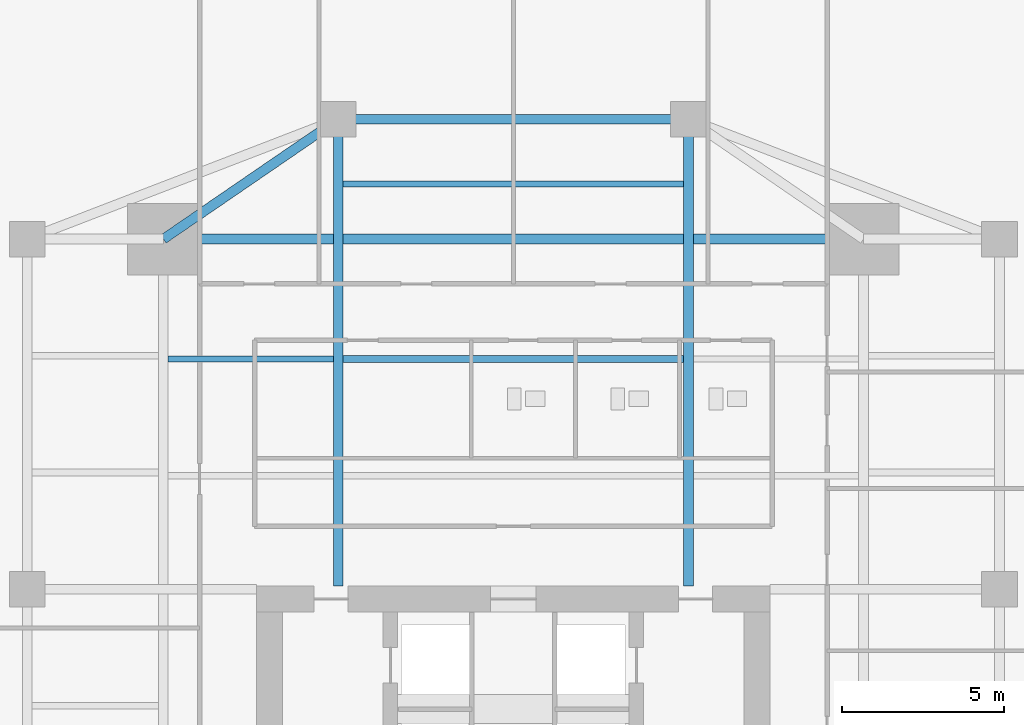
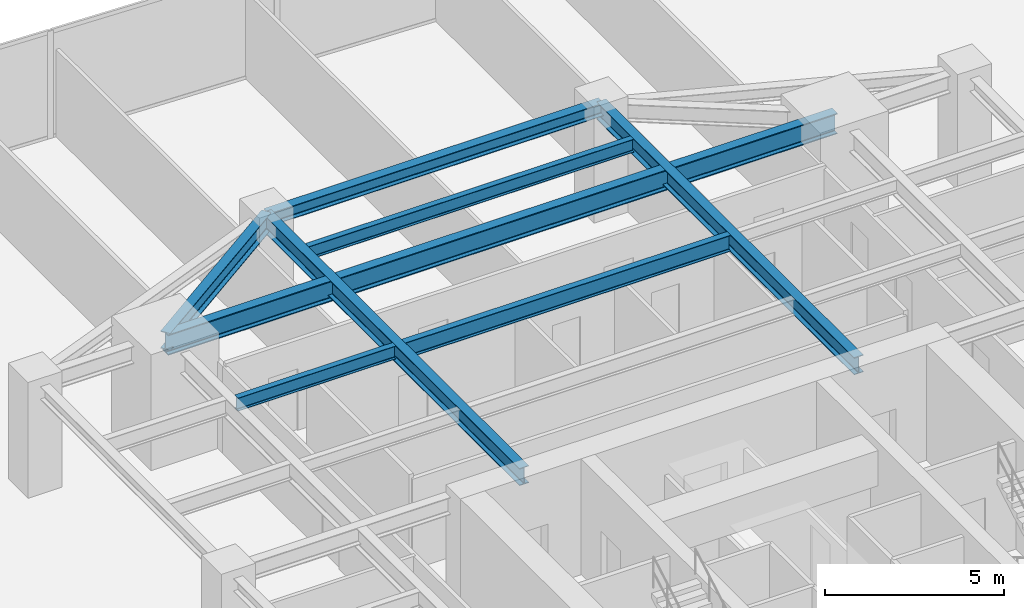
# One storey, part 20 of 30: 8 beams.
"""IFC4 building model written with IfcOpenShell, lengths in metres."""

import ifcopenshell
import ifcopenshell.guid

model = None  # the IFC model being written
_history = None  # IfcOwnerHistory: only IFC2X3 demands one
_inside = {}  # id of a spatial element -> (the spatial element, [elements in it])
_under = {}  # id of a project, library or spatial element -> (it, [spatial elements below it])
_declared = {}  # id of a project -> (the project, [libraries it declares])
_typed = {}  # id of a type object -> (the type object, [elements of that type])
_made_of = {}  # id of a material, layer set ... -> (it, [elements and type objects made of it])


def new_model(schema):
    """Start an empty IFC model of exactly this schema.

    Asked for "IFC4X3", IfcOpenShell would pick the latest addendum, in which some entities
    have other attributes; the version numbers below select the first issue.
    IFC2X3 requires an IfcOwnerHistory on every rooted entity: one is made here for all.
    """
    global model, _history
    if schema == "IFC4X3":
        model = ifcopenshell.file(schema_version=(4, 3, 0, 0))
    else:
        model = ifcopenshell.file(schema=schema)
    _inside.clear()
    _under.clear()
    _declared.clear()
    _typed.clear()
    _made_of.clear()
    _history = None
    if model.schema == "IFC2X3":
        org = make("IfcOrganization", Name="unknown")
        user = make(
            "IfcPersonAndOrganization",
            ThePerson=make("IfcPerson", FamilyName="unknown"),
            TheOrganization=org,
        )
        app = make(
            "IfcApplication",
            ApplicationDeveloper=org,
            Version="unknown",
            ApplicationFullName="unknown",
            ApplicationIdentifier="unknown",
        )
        _history = make(
            "IfcOwnerHistory",
            OwningUser=user,
            OwningApplication=app,
            ChangeAction="ADDED",
            CreationDate=0,
        )
    return model


def make(cls, **values):
    """One entity of the class cls with the attributes given. An attribute that is None is left unset."""
    return model.create_entity(
        cls, **{name: value for name, value in values.items() if value is not None}
    )


def rooted(cls, **values):
    """An entity with a GlobalId (a new one), such as an element, a storey or a relation."""
    return make(cls, GlobalId=ifcopenshell.guid.new(), OwnerHistory=_history, **values)


def si_unit(unit_type, name, prefix=None):
    """IfcSIUnit, for example si_unit("LENGTHUNIT", "METRE", prefix="MILLI")."""
    return make("IfcSIUnit", UnitType=unit_type, Prefix=prefix, Name=name)


def assignment(units):
    """IfcUnitAssignment: the units of a project."""
    return None if units is None else make("IfcUnitAssignment", Units=units)


def point(xyz):
    """IfcCartesianPoint."""
    return None if xyz is None else make("IfcCartesianPoint", Coordinates=xyz)


def direction(xyz):
    """IfcDirection."""
    return None if xyz is None else make("IfcDirection", DirectionRatios=xyz)


def frame(location, z_axis=None, x_axis=None):
    """IfcAxis2Placement3D, a coordinate frame: its origin and axes. An axis left out is left unset."""
    return make(
        "IfcAxis2Placement3D",
        Location=point(location),
        Axis=direction(z_axis),
        RefDirection=direction(x_axis),
    )


def frame_2d(location, x_axis=None):
    """IfcAxis2Placement2D, a coordinate frame in the plane: its origin and x axis."""
    return make(
        "IfcAxis2Placement2D", Location=point(location), RefDirection=direction(x_axis)
    )


def origin():
    """The frame at (0, 0, 0) with its axes left unset."""
    return frame((0.0, 0.0, 0.0))


def origin_2d():
    """The frame at (0, 0) in the plane with its x axis left unset."""
    return frame_2d((0.0, 0.0))


def place(relative_to, where):
    """IfcLocalPlacement: puts the frame where relative to a parent placement (None: the world)."""
    return make(
        "IfcLocalPlacement", PlacementRelTo=relative_to, RelativePlacement=where
    )


def context(
    kind, dimensions, precision=None, world=None, true_north=None, identifier=None
):
    """IfcGeometricRepresentationContext, for example the 3D "Model" context."""
    return make(
        "IfcGeometricRepresentationContext",
        ContextIdentifier=identifier,
        ContextType=kind,
        CoordinateSpaceDimension=dimensions,
        Precision=precision,
        WorldCoordinateSystem=world,
        TrueNorth=true_north,
    )


def subcontext(parent, identifier, kind, view, scale=None):
    """IfcGeometricRepresentationSubContext, for example "Body" below "Model"."""
    return make(
        "IfcGeometricRepresentationSubContext",
        ContextIdentifier=identifier,
        ContextType=kind,
        ParentContext=parent,
        TargetScale=scale,
        TargetView=view,
    )


def project(units=None, contexts=None):
    """IfcProject with its units and contexts."""
    return rooted(
        "IfcProject",
        Name="project",
        RepresentationContexts=contexts,
        UnitsInContext=assignment(units),
    )


def spatial(cls, under=None, at=None, **own):
    """A site, building, storey or space (cls), placed at a placement, below another one or the project."""
    s = rooted(cls, ObjectPlacement=at, **own)
    if under is not None:
        _under.setdefault(under.id(), (under, []))[1].append(s)
    return s


def profile(cls, at=None, kind="AREA", **sizes):
    """A parametric profile (cls). Its sizes go by their IFC names, for example OverallWidth=200.0."""
    return make(cls, ProfileType=kind, Position=at, **sizes)


def i_section(**sizes):
    """IfcIShapeProfileDef."""
    return profile("IfcIShapeProfileDef", **sizes)


def extrude(swept, where, along, depth):
    """IfcExtrudedAreaSolid: the profile swept, set in the frame where, extruded along a direction by depth."""
    return make(
        "IfcExtrudedAreaSolid",
        SweptArea=swept,
        Position=where,
        ExtrudedDirection=direction(along),
        Depth=depth,
    )


def shape(context_of_items, identifier, shape_type, items):
    """IfcShapeRepresentation: the items that make up one representation, for example the "Body"."""
    return make(
        "IfcShapeRepresentation",
        ContextOfItems=context_of_items,
        RepresentationIdentifier=identifier,
        RepresentationType=shape_type,
        Items=items,
    )


def source(mapping_origin, context_of_items, identifier, shape_type, items):
    """IfcRepresentationMap: a shape defined once, which mapped items show again and again."""
    return make(
        "IfcRepresentationMap",
        MappingOrigin=mapping_origin,
        MappedRepresentation=shape(context_of_items, identifier, shape_type, items),
    )


def transform(
    local_origin,
    x_axis=None,
    y_axis=None,
    z_axis=None,
    scale=None,
    scale2=None,
    scale3=None,
    uniform=True,
):
    """IfcCartesianTransformationOperator3D, or its non-uniform kind. x_axis, y_axis, z_axis: its Axis1, 2, 3."""
    if uniform:
        return make(
            "IfcCartesianTransformationOperator3D",
            Axis1=direction(x_axis),
            Axis2=direction(y_axis),
            LocalOrigin=point(local_origin),
            Scale=scale,
            Axis3=direction(z_axis),
        )
    return make(
        "IfcCartesianTransformationOperator3DnonUniform",
        Axis1=direction(x_axis),
        Axis2=direction(y_axis),
        LocalOrigin=point(local_origin),
        Scale=scale,
        Axis3=direction(z_axis),
        Scale2=scale2,
        Scale3=scale3,
    )


def mapped(mapping_source, mapping_target):
    """IfcMappedItem: shows the shape of a source again, moved by a transform."""
    return make(
        "IfcMappedItem", MappingSource=mapping_source, MappingTarget=mapping_target
    )


def material(Name=None, Category=None):
    """IfcMaterial."""
    return make("IfcMaterial", Name=Name, Category=Category)


def material_profile(
    of_material, cross_section, Name=None, Category=None, Priority=None
):
    """IfcMaterialProfile: a cross section and its material."""
    return make(
        "IfcMaterialProfile",
        Name=Name,
        Material=of_material,
        Profile=cross_section,
        Priority=Priority,
        Category=Category,
    )


def profile_set(profiles, Name=None, composite=None):
    """IfcMaterialProfileSet."""
    return make(
        "IfcMaterialProfileSet",
        Name=Name,
        MaterialProfiles=profiles,
        CompositeProfile=composite,
    )


def made_of(thing, what):
    """Note that an element or type object is made of a material, layer set ...; save() writes the relation."""
    if what is not None:
        _made_of.setdefault(what.id(), (what, []))[1].append(thing)
    return thing


def type_object(cls, material=None, **own):
    """A type object (cls), such as IfcWallType, which elements share."""
    return made_of(rooted(cls, **own), material)


def type_shapes(of_type, sources):
    """Give a type object the sources (RepresentationMaps) that its elements show as mapped items."""
    of_type.RepresentationMaps = sources


def element(
    cls,
    number,
    at=None,
    inside=None,
    cuts=None,
    type_object=None,
    material=None,
    context=None,
    identifier="Body",
    shape_type=None,
    held_by="IfcProductDefinitionShape",
    body=None,
    shapes=None,
    **own,
):
    """One element of the class cls, such as IfcWall. Its Tag is "e" and its number.

    at: its placement. inside: the storey or other place that contains it. cuts: it is an
    opening in that element (IfcRelVoidsElement). A single representation is given by context,
    identifier, shape_type and body (its items); several are given by shapes. held_by: the class
    of the entity that holds the representations. save() writes the other relations.
    """
    e = rooted(cls, Tag="e%d" % number, ObjectPlacement=at, **own)
    if body is not None:
        shapes = [shape(context, identifier, shape_type, body)]
    if shapes is not None:
        e.Representation = make(held_by, Representations=shapes)
    if inside is not None:
        _inside.setdefault(inside.id(), (inside, []))[1].append(e)
    if cuts is not None:
        rooted(
            "IfcRelVoidsElement", RelatingBuildingElement=cuts, RelatedOpeningElement=e
        )
    if type_object is not None:
        _typed.setdefault(type_object.id(), (type_object, []))[1].append(e)
    return made_of(e, material)


def aggregate(whole, parts):
    """IfcRelAggregates: a whole, such as a stair, and the parts it consists of."""
    return rooted("IfcRelAggregates", RelatingObject=whole, RelatedObjects=parts)


def save(model, path):
    """Write the relations noted so far, then the file.

    IfcRelAggregates (storeys below a building ...), IfcRelContainedInSpatialStructure (elements
    in a storey), IfcRelDefinesByType, IfcRelAssociatesMaterial and IfcRelDeclares: one each for
    every whole, place, type object, material and project.
    """
    for whole, parts in _under.values():
        aggregate(whole, parts)
    for where, things in _inside.values():
        rooted(
            "IfcRelContainedInSpatialStructure",
            RelatedElements=things,
            RelatingStructure=where,
        )
    for kind, things in _typed.values():
        rooted("IfcRelDefinesByType", RelatedObjects=things, RelatingType=kind)
    for what, things in _made_of.values():
        rooted("IfcRelAssociatesMaterial", RelatedObjects=things, RelatingMaterial=what)
    for by, libraries in _declared.values():
        rooted("IfcRelDeclares", RelatingContext=by, RelatedDefinitions=libraries)
    model.write(path)


model = new_model("IFC4")

# Units and contexts
model_context = context("Model", 3, precision=1e-05, world=origin(), true_north=direction((0.0, 1.0)))
body_context = subcontext(model_context, "Body", "Model", "MODEL_VIEW")
ifc_project = project(units=[si_unit("LENGTHUNIT", "METRE"), si_unit("AREAUNIT", "SQUARE_METRE"), si_unit("VOLUMEUNIT", "CUBIC_METRE"), si_unit("PLANEANGLEUNIT", "RADIAN"), si_unit("MASSUNIT", "GRAM", prefix="KILO")], contexts=[model_context])

# Site, building, storey
site_placement = place(None, origin())
site = spatial("IfcSite", under=ifc_project, at=site_placement, CompositionType="ELEMENT")
building_placement = place(site_placement, origin())
building = spatial("IfcBuilding", under=site, at=building_placement, Name="Krantzveldt Concourse Tower", CompositionType="ELEMENT")
storey_placement = place(building_placement, frame((0.0, 0.0, 44.75)))
storey = spatial("IfcBuildingStorey", under=building, at=storey_placement, Name="L10", CompositionType="ELEMENT", Elevation=44.75)

# Beams
ifc_material_1 = material(Name="Steel S355J2", Category="steel")
ifc_material_profile_1 = material_profile(ifc_material_1, i_section(OverallWidth=0.300048828125, OverallDepth=0.699951171875, WebThickness=0.01708984375, FlangeThickness=0.031982421875, FilletRadius=0.027099609375, at=origin_2d()), Name="Steel S355J2", Category="steel")
ifc_profile_set_1 = profile_set([ifc_material_profile_1], Name="Steel S355J2 - HEB 700")
beam_type_1 = type_object("IfcBeamType", Name="BM-B-HEB700", PredefinedType="BEAM", material=ifc_profile_set_1)
shared_shape_1 = source(origin(), body_context, "Body", "SweptSolid", [
    extrude(i_section(OverallWidth=0.300048828125, OverallDepth=0.699951171875, WebThickness=0.01708984375, FlangeThickness=0.031982421875, FilletRadius=0.027099609375, at=origin_2d()), origin(), (0.0, 0.0, 1.0), 21.60009765625),
])
type_shapes(beam_type_1, [shared_shape_1])
beam_1_placement = place(storey_placement, frame((25.199951171875, 37.5, 3.320068359375), z_axis=(1.0, 0.0, 0.0), x_axis=(0.0, 1.0, 0.0)))
element("IfcBeam", 1, at=beam_1_placement, inside=storey, type_object=beam_type_1, Name="L10 Tower Girder BG-MN", PredefinedType="BEAM", context=body_context, shape_type="MappedRepresentation", body=[
    mapped(shared_shape_1, transform((0.0, 0.0, 0.0), x_axis=(1.0, 0.0, 0.0), y_axis=(0.0, 1.0, 0.0), z_axis=(0.0, 0.0, 1.0), scale=1.0)),
])
ifc_material_2 = material(Name="Steel S355JR", Category="steel")
ifc_material_profile_2 = material_profile(ifc_material_2, i_section(OverallWidth=0.300048828125, OverallDepth=0.590087890625, WebThickness=0.012939453125, FlangeThickness=0.02490234375, FilletRadius=0.027099609375, at=origin_2d()), Name="Steel S355JR", Category="steel")
ifc_profile_set_2 = profile_set([ifc_material_profile_2], Name="Steel S355JR - HEA 600")
beam_type_2 = type_object("IfcBeamType", Name="BM-B-HEA600", PredefinedType="BEAM", material=ifc_profile_set_2)
shared_shape_2 = source(origin(), body_context, "Body", "SweptSolid", [
    extrude(i_section(OverallWidth=0.300048828125, OverallDepth=0.590087890625, WebThickness=0.012939453125, FlangeThickness=0.02490234375, FilletRadius=0.027099609375, at=origin_2d()), origin(), (0.0, 0.0, 1.0), 14.39990234375),
])
for number, where, z_axis, x_axis, name in (
    (2, (30.60009765625, 26.800048828125, 3.375), (0.0, 1.0, 0.0), (-1.0, 0.0, 0.0), "L10 Tower Girder BG-CNW"),
    (3, (41.39990234375, 26.800048828125, 3.375), (0.0, 1.0, 0.0), (-1.0, 0.0, 0.0), "L10 Tower Girder BG-CNE"),
):
    element("IfcBeam", number, at=place(storey_placement, frame(where, z_axis=z_axis, x_axis=x_axis)), inside=storey, type_object=beam_type_2, Name=name, PredefinedType="BEAM", context=body_context, shape_type="MappedRepresentation", body=[
        mapped(shared_shape_2, transform((0.0, 0.0, 0.0), x_axis=(1.0, 0.0, 0.0), y_axis=(0.0, 1.0, 0.0), z_axis=(0.0, 0.0, 1.0), scale=1.0)),
    ])
ifc_material_profile_3 = material_profile(ifc_material_2, i_section(OverallWidth=0.300048828125, OverallDepth=0.43994140625, WebThickness=0.011474609375, FlangeThickness=0.02099609375, FilletRadius=0.027099609375, at=origin_2d()), Name="Steel S355JR", Category="steel")
ifc_profile_set_3 = profile_set([ifc_material_profile_3], Name="Steel S355JR - HEA 450")
beam_type_3 = type_object("IfcBeamType", Name="BM-SP-HEA450", PredefinedType="SPANDREL", material=ifc_profile_set_3)
shared_shape_3 = source(origin(), body_context, "Body", "SweptSolid", [
    extrude(i_section(OverallWidth=0.300048828125, OverallDepth=0.43994140625, WebThickness=0.011474609375, FlangeThickness=0.02099609375, FilletRadius=0.027099609375, at=origin_2d()), origin(), (0.0, 0.0, 1.0), 10.7998046875),
])
type_shapes(beam_type_3, [shared_shape_3])
beam_2_placement = place(storey_placement, frame((30.60009765625, 41.199951171875, 3.449951171875), z_axis=(1.0, 0.0, 0.0), x_axis=(0.0, 1.0, 0.0)))
element("IfcBeam", 4, at=beam_2_placement, inside=storey, type_object=beam_type_3, Name="L10 Tower Girder SP-R04", PredefinedType="SPANDREL", context=body_context, shape_type="MappedRepresentation", body=[
    mapped(shared_shape_3, transform((0.0, 0.0, 0.0), x_axis=(1.0, 0.0, 0.0), y_axis=(0.0, 1.0, 0.0), z_axis=(0.0, 0.0, 1.0), scale=1.0)),
])
shared_shape_4 = source(origin(), body_context, "Body", "SweptSolid", [
    extrude(i_section(OverallWidth=0.300048828125, OverallDepth=0.590087890625, WebThickness=0.012939453125, FlangeThickness=0.02490234375, FilletRadius=0.027099609375, at=origin_2d()), origin(), (0.0, 0.0, 1.0), 6.546142578125),
])
type_shapes(beam_type_2, [shared_shape_2, shared_shape_4])
beam_3_placement = place(storey_placement, frame((25.199951171875, 37.5, 3.375), z_axis=(0.824942999484, 0.565215930068, 0.0), x_axis=(-0.565215930068, 0.824942999484, 0.0)))
element("IfcBeam", 5, at=beam_3_placement, inside=storey, type_object=beam_type_2, Name="L10 Tower Girder BR-RL4", PredefinedType="BEAM", context=body_context, shape_type="MappedRepresentation", body=[
    mapped(shared_shape_4, transform((0.0, 0.0, 0.0), x_axis=(1.0, 0.0, 0.0), y_axis=(0.0, 1.0, 0.0), z_axis=(0.0, 0.0, 1.0), scale=1.0)),
])
ifc_material_profile_4 = material_profile(ifc_material_2, i_section(OverallWidth=0.2099609375, OverallDepth=0.550048828125, WebThickness=0.010986328125, FlangeThickness=0.01708984375, FilletRadius=0.02392578125, at=origin_2d()), Name="Steel S355JR", Category="steel")
ifc_profile_set_4 = profile_set([ifc_material_profile_4], Name="Steel S355JR - IPE 550")
beam_type_4 = type_object("IfcBeamType", Name="BM-J-IPE550", PredefinedType="JOIST", material=ifc_profile_set_4)
shared_shape_5 = source(origin(), body_context, "Body", "SweptSolid", [
    extrude(i_section(OverallWidth=0.2099609375, OverallDepth=0.550048828125, WebThickness=0.010986328125, FlangeThickness=0.01708984375, FilletRadius=0.02392578125, at=origin_2d()), origin(), (0.0, 0.0, 1.0), 10.5),
])
type_shapes(beam_type_4, [shared_shape_5])
beam_4_placement = place(storey_placement, frame((30.75, 33.800048828125, 3.39501953125), z_axis=(1.0, 0.0, 0.0), x_axis=(0.0, 1.0, 0.0)))
element("IfcBeam", 6, at=beam_4_placement, inside=storey, type_object=beam_type_4, Name="L10 Secondary Floor Joist JN-C2", PredefinedType="JOIST", context=body_context, shape_type="MappedRepresentation", body=[
    mapped(shared_shape_5, transform((0.0, 0.0, 0.0), x_axis=(1.0, 0.0, 0.0), y_axis=(0.0, 1.0, 0.0), z_axis=(0.0, 0.0, 1.0), scale=1.0)),
])
ifc_material_profile_5 = material_profile(ifc_material_2, i_section(OverallWidth=0.18994140625, OverallDepth=0.449951171875, WebThickness=0.009521484375, FlangeThickness=0.0146484375, FilletRadius=0.02099609375, at=origin_2d()), Name="Steel S355JR", Category="steel")
ifc_profile_set_5 = profile_set([ifc_material_profile_5], Name="Steel S355JR - IPE 450")
beam_type_5 = type_object("IfcBeamType", Name="BM-J-IPE450", PredefinedType="JOIST", material=ifc_profile_set_5)
shared_shape_6 = source(origin(), body_context, "Body", "SweptSolid", [
    extrude(i_section(OverallWidth=0.18994140625, OverallDepth=0.449951171875, WebThickness=0.009521484375, FlangeThickness=0.0146484375, FilletRadius=0.02099609375, at=origin_2d()), origin(), (0.0, 0.0, 1.0), 10.5),
])
beam_5_placement = place(storey_placement, frame((30.75, 39.199951171875, 3.445068359375), z_axis=(1.0, 0.0, 0.0), x_axis=(0.0, 1.0, 0.0)))
element("IfcBeam", 7, at=beam_5_placement, inside=storey, type_object=beam_type_5, Name="L10 Secondary Floor Joist JN-C3", PredefinedType="JOIST", context=body_context, shape_type="MappedRepresentation", body=[
    mapped(shared_shape_6, transform((0.0, 0.0, 0.0), x_axis=(1.0, 0.0, 0.0), y_axis=(0.0, 1.0, 0.0), z_axis=(0.0, 0.0, 1.0), scale=1.0)),
])
shared_shape_7 = source(origin(), body_context, "Body", "SweptSolid", [
    extrude(i_section(OverallWidth=0.18994140625, OverallDepth=0.449951171875, WebThickness=0.009521484375, FlangeThickness=0.0146484375, FilletRadius=0.02099609375, at=origin_2d()), origin(), (0.0, 0.0, 1.0), 5.099853515625),
])
type_shapes(beam_type_5, [shared_shape_6, shared_shape_7])
beam_6_placement = place(storey_placement, frame((25.35009765625, 33.800048828125, 3.445068359375), z_axis=(1.0, 0.0, 0.0), x_axis=(0.0, 1.0, 0.0)))
element("IfcBeam", 8, at=beam_6_placement, inside=storey, type_object=beam_type_5, Name="L10 Secondary Floor Joist JN-W2", PredefinedType="JOIST", context=body_context, shape_type="MappedRepresentation", body=[
    mapped(shared_shape_7, transform((0.0, 0.0, 0.0), x_axis=(1.0, 0.0, 0.0), y_axis=(0.0, 1.0, 0.0), z_axis=(0.0, 0.0, 1.0), scale=1.0)),
])

save(model, "model.ifc")
